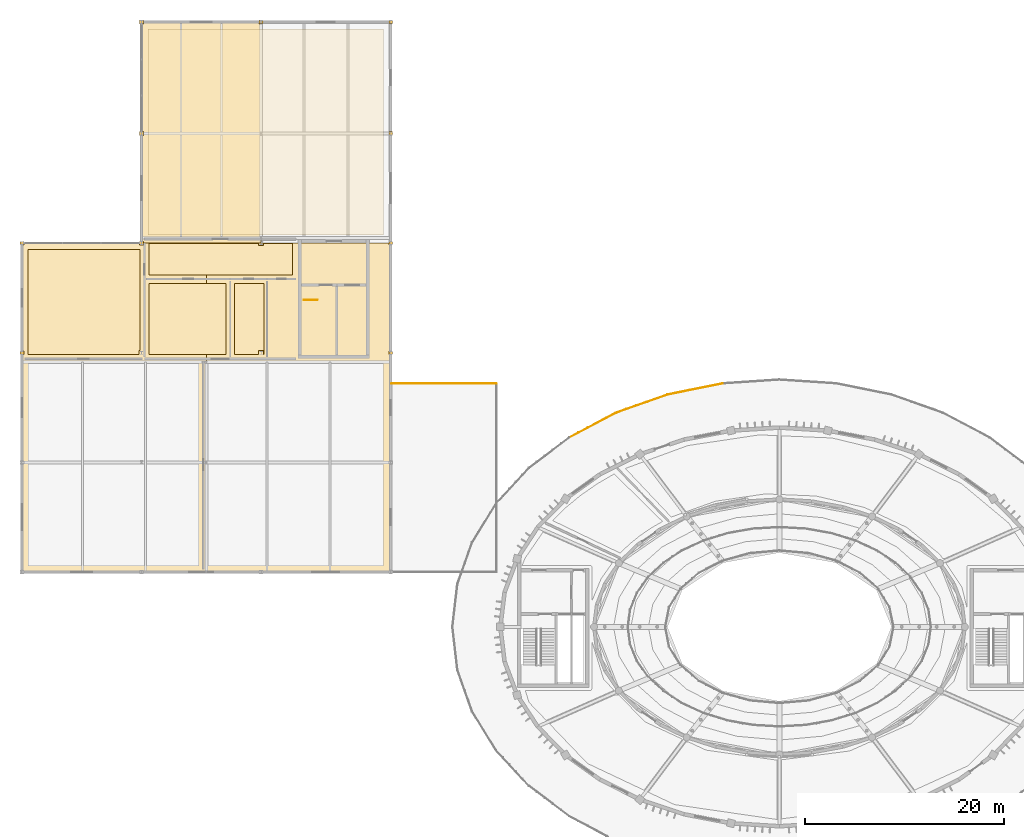
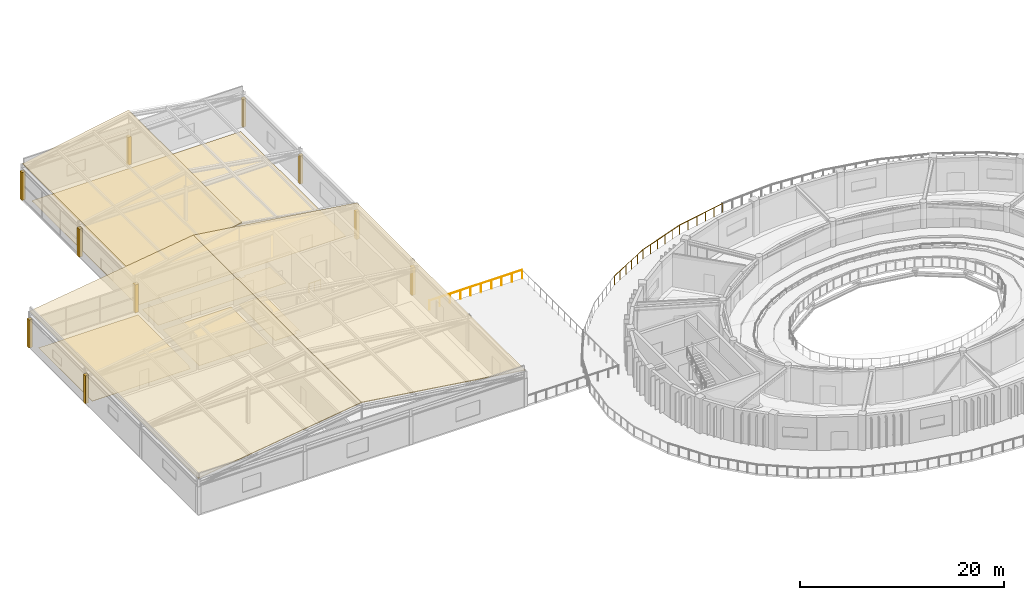
# One storey, part 60 of 63: 18 coverings, 5 railings.
"""IFC4 building model written with IfcOpenShell, lengths in metres."""

from ifc_helpers import new_model, si_unit, direction, frame, origin, origin_2d, place, context, subcontext, project, spatial, polyline, rectangle, circle, outline, extrude, material, layer, layer_set, type_object, element, save


model = new_model("IFC4")

# Units and contexts
model_context = context("Model", 3, precision=1e-05, world=origin(), true_north=direction((0.0, 1.0)))
body_context = subcontext(model_context, "Body", "Model", "MODEL_VIEW")
ifc_project = project(units=[si_unit("LENGTHUNIT", "METRE"), si_unit("AREAUNIT", "SQUARE_METRE"), si_unit("VOLUMEUNIT", "CUBIC_METRE"), si_unit("PLANEANGLEUNIT", "RADIAN"), si_unit("MASSUNIT", "GRAM", prefix="KILO")], contexts=[model_context])

# Site, building, storey
site_placement = place(None, origin())
site = spatial("IfcSite", under=ifc_project, at=site_placement, CompositionType="ELEMENT")
building_placement = place(site_placement, origin())
building = spatial("IfcBuilding", under=site, at=building_placement, Name="Tarnveldt Headland Concert Hall", CompositionType="ELEMENT")
storey_placement = place(building_placement, frame((0.0, 0.0, 14.39990234375)))
storey = spatial("IfcBuildingStorey", under=building, at=storey_placement, Name="L03", CompositionType="ELEMENT", Elevation=14.39990234375)

# Coverings
ifc_material_1 = material(Name="Treated East African mvule hardwood", Category="wood")
ifc_layer_1 = layer(ifc_material_1, 0.028076171875, Name="Treated East African mvule hardwood", Category="wood")
ifc_layer_set_1 = layer_set([ifc_layer_1], Name="Treated East African mvule hardwood")
covering_type_1 = type_object("IfcCoveringType", Name="CV-FLOR28", PredefinedType="FLOORING", material=ifc_layer_set_1)
covering_1_placement = place(storey_placement, origin())
element("IfcCovering", 1, at=covering_1_placement, inside=storey, type_object=covering_type_1, Name="Architectural flooring L03-14-102", PredefinedType="FLOORING", context=body_context, shape_type="SweptSolid", body=[
    extrude(outline(polyline([(19.3701171875, 92.3701171875), (19.3701171875, 82.25), (19.25, 82.25), (19.25, 81.830078125), (8.1298828125, 81.830078125), (8.1298828125, 92.3701171875), (19.3701171875, 92.3701171875)])), origin(), (0.0, 0.0, 1.0), 0.028076171875),
])
ifc_material_2 = material(Name="Polished coral-aggregate cementitious terrazzo flooring", Category="concrete")
ifc_layer_2 = layer(ifc_material_2, 0.034912109375, Name="Polished coral-aggregate cementitious terrazzo flooring", Category="concrete")
ifc_layer_set_2 = layer_set([ifc_layer_2], Name="Polished coral-aggregate cementitious terrazzo flooring")
covering_type_2 = type_object("IfcCoveringType", Name="CV-FLOR35", PredefinedType="FLOORING", material=ifc_layer_set_2)
covering_2_placement = place(storey_placement, origin())
element("IfcCovering", 2, at=covering_2_placement, inside=storey, type_object=covering_type_2, Name="Architectural flooring L03-15-103", PredefinedType="FLOORING", context=body_context, shape_type="SweptSolid", body=[
    extrude(outline(polyline([(20.22998046875, 88.969970703125), (27.969970703125, 88.969970703125), (27.969970703125, 81.830078125), (20.22998046875, 81.830078125), (20.22998046875, 88.969970703125)])), origin(), (0.0, 0.0, 1.0), 0.03515625),
])
covering_3_placement = place(storey_placement, origin())
element("IfcCovering", 3, at=covering_3_placement, inside=storey, type_object=covering_type_2, Name="Architectural flooring L03-16-104", PredefinedType="FLOORING", context=body_context, shape_type="SweptSolid", body=[
    extrude(outline(polyline([(31.77001953125, 88.969970703125), (31.77001953125, 81.830078125), (31.75, 81.830078125), (31.75, 82.25), (31.25, 82.25), (31.25, 81.830078125), (28.830078125, 81.830078125), (28.830078125, 88.969970703125), (31.77001953125, 88.969970703125)])), origin(), (0.0, 0.0, 1.0), 0.03515625),
])
covering_4_placement = place(storey_placement, origin())
element("IfcCovering", 4, at=covering_4_placement, inside=storey, type_object=covering_type_2, Name="Architectural flooring L03-18-105", PredefinedType="FLOORING", context=body_context, shape_type="SweptSolid", body=[
    extrude(outline(polyline([(31.25, 92.969970703125), (31.25, 92.75), (31.75, 92.75), (31.75, 92.969970703125), (34.669921875, 92.969970703125), (34.669921875, 89.830078125), (20.22998046875, 89.830078125), (20.22998046875, 92.969970703125), (31.25, 92.969970703125)])), origin(), (0.0, 0.0, 1.0), 0.03515625),
])
covering_5_placement = place(storey_placement, origin())
element("IfcCovering", 5, at=covering_5_placement, inside=storey, type_object=covering_type_2, Name="Architectural flooring L03-19-106", PredefinedType="FLOORING", context=body_context, shape_type="SweptSolid", body=[
    extrude(outline(polyline([(43.77001953125, 114.469970703125), (43.77001953125, 93.830078125), (20.1298828125, 93.830078125), (20.1298828125, 114.469970703125), (43.77001953125, 114.469970703125)])), origin(), (0.0, 0.0, 1.0), 0.03515625),
])
ifc_material_3 = material(Name="Coral-toned precast concrete C40/50", Category="concrete")
ifc_layer_3 = layer(ifc_material_3, 0.360107421875, Name="Coral-toned precast concrete C40/50", Category="concrete")
ifc_layer_set_3 = layer_set([ifc_layer_3], Name="Coral-toned precast concrete C40/50")
covering_type_3 = type_object("IfcCoveringType", Name="CV-JNT360", PredefinedType="CLADDING", material=ifc_layer_set_3)
for number, where, z_axis, x_axis, name in (
    (6, (7.5, 82.0, 0.0), (0.0, 0.0, 1.0), (0.0, 1.0, 0.0), "Precast facade joint closure pilaster L03-303"),
    (7, (7.5, 93.0, 0.0), (0.0, 0.0, 1.0), (0.0, 1.0, 0.0), "Precast facade joint closure pilaster L03-304"),
    (8, (19.5, 93.0, 0.0), (0.0, 0.0, 1.0), (0.0, 1.0, 0.0), "Precast facade joint closure pilaster L03-306"),
    (9, (19.5, 104.0, 0.0), (0.0, 0.0, 1.0), (0.0, 1.0, 0.0), "Precast facade joint closure pilaster L03-307"),
    (10, (19.5, 115.199951171875, 0.0), (0.0, 0.0, 1.0), (1.0, 0.0, 0.0), "Precast facade joint closure pilaster L03-308"),
    (11, (31.5, 115.199951171875, 0.0), (0.0, 0.0, 1.0), (1.0, 0.0, 0.0), "Precast facade joint closure pilaster L03-310"),
    (12, (44.5, 82.0, 0.0), (0.0, 0.0, 1.0), (0.0, -1.0, 0.0), "Precast facade joint closure pilaster L03-313"),
    (13, (44.5, 93.0, 0.0), (0.0, 0.0, 1.0), (0.0, -1.0, 0.0), "Precast facade joint closure pilaster L03-314"),
    (14, (44.5, 104.0, 0.0), (0.0, 0.0, 1.0), (0.0, -1.0, 0.0), "Precast facade joint closure pilaster L03-315"),
    (15, (44.5, 115.199951171875, 0.0), (0.0, 0.0, 1.0), (0.0, -1.0, 0.0), "Precast facade joint closure pilaster L03-316"),
):
    element("IfcCovering", number, at=place(storey_placement, frame(where, z_axis=z_axis, x_axis=x_axis)), inside=storey, type_object=covering_type_3, Name=name, PredefinedType="CLADDING", context=body_context, shape_type="SweptSolid", body=[
        extrude(rectangle(XDim=0.3798828125, YDim=0.3798828125, at=origin_2d()), origin(), (0.0, 0.0, 1.0), 3.35009765625),
    ])
ifc_material_4 = material(Name="Standing-seam marine aluminium and acoustic roof build-up", Category="aluminium")
ifc_layer_4 = layer(ifc_material_4, 0.080078125, Name="Standing-seam marine aluminium and acoustic roof build-up", Category="aluminium")
ifc_layer_set_4 = layer_set([ifc_layer_4], Name="Standing-seam marine aluminium and acoustic roof build-up")
covering_type_4 = type_object("IfcCoveringType", Name="CV-ROOF80", PredefinedType="ROOFING", material=ifc_layer_set_4)
for number, where, z_axis, x_axis, name in (
    (16, (7.5, 60.0, 4.280029296875), (-0.139177941393, 0.0, 0.990267388451), (0.990267388451, 0.0, 0.139177941393), "Standing-seam marine aluminium roof covering 4"),
    (17, (26.0, 60.0, 6.880126953125), (0.139177941393, 0.0, 0.990267388451), (0.990267388451, 0.0, -0.139177941393), "Standing-seam marine aluminium roof covering 5"),
):
    element("IfcCovering", number, at=place(storey_placement, frame(where, z_axis=z_axis, x_axis=x_axis)), inside=storey, type_object=covering_type_4, Name=name, PredefinedType="ROOFING", context=body_context, shape_type="SweptSolid", body=[
        extrude(outline(polyline([(0.0, 0.0), (18.68182292556154, 0.0), (18.68182292556154, 33.00000000000001), (0.0, 33.00000000000001), (0.0, 0.0)])), origin(), (0.0, 0.0, -1.0), 0.080078125),
    ])
covering_6_placement = place(storey_placement, frame((19.5, 93.0, 4.280029296875), z_axis=(-0.18032399669, 0.0, 0.983607267266), x_axis=(0.983607267266, 0.0, 0.18032399669)))
element("IfcCovering", 18, at=covering_6_placement, inside=storey, type_object=covering_type_4, Name="Standing-seam marine aluminium roof covering 6", PredefinedType="ROOFING", context=body_context, shape_type="SweptSolid", body=[
    extrude(outline(polyline([(0.0, 0.0), (12.199991195022815, 0.0), (12.199991195022815, 22.199951171875), (0.0, 22.199951171875), (0.0, 0.0)])), origin(), (0.0, 0.0, -1.0), 0.080078125),
])

# Railings
ifc_material_5 = material(Name="Marine stainless steel", Category="steel")
ifc_layer_5 = layer(ifc_material_5, 0.074951171875, Name="Marine stainless steel", Category="steel")
ifc_layer_set_5 = layer_set([ifc_layer_5], Name="Marine stainless steel")
railing_type_1 = type_object("IfcRailingType", Name="RL-BAL110", PredefinedType="BALUSTRADE", material=ifc_layer_set_5)
railing_1_placement = place(storey_placement, frame((77.80419921875, 78.923095703125, 0.0)))
element("IfcRailing", 19, at=railing_1_placement, inside=storey, type_object=railing_type_1, Name="GUARD Drum lookout terrace balustrade 11", PredefinedType="BALUSTRADE", context=body_context, shape_type="SweptSolid", body=[
    extrude(circle(Radius=0.02392578125, at=origin_2d()), frame((0.0, 0.0, 1.076171875), z_axis=(-0.980094417088, -0.198531946026, 0.0), x_axis=(0.198531946026, -0.980094417088, 0.0)), (0.0, 0.0, 1.0), 5.634521484375),
    extrude(circle(Radius=0.02099609375, at=origin_2d()), origin(), (0.0, 0.0, 1.0), 1.052001953125),
    extrude(circle(Radius=0.02099609375, at=origin_2d()), frame((-1.1044921875, -0.2236328125, 0.0)), (0.0, 0.0, 1.0), 1.052001953125),
    extrude(circle(Radius=0.02099609375, at=origin_2d()), frame((-2.208984375, -0.447509765625, 0.0)), (0.0, 0.0, 1.0), 1.052001953125),
    extrude(circle(Radius=0.02099609375, at=origin_2d()), frame((-3.3134765625, -0.671142578125, 0.0)), (0.0, 0.0, 1.0), 1.052001953125),
    extrude(circle(Radius=0.02099609375, at=origin_2d()), frame((-4.41796875, -0.89501953125, 0.0)), (0.0, 0.0, 1.0), 1.052001953125),
    extrude(circle(Radius=0.02099609375, at=origin_2d()), frame((-5.5224609375, -1.11865234375, 0.0)), (0.0, 0.0, 1.0), 1.052001953125),
])
railing_2_placement = place(storey_placement, frame((72.28173828125, 77.804443359375, 0.0)))
element("IfcRailing", 20, at=railing_2_placement, inside=storey, type_object=railing_type_1, Name="GUARD Drum lookout terrace balustrade 12", PredefinedType="BALUSTRADE", context=body_context, shape_type="SweptSolid", body=[
    extrude(circle(Radius=0.02392578125, at=origin_2d()), frame((0.0, 0.0, 1.076171875), z_axis=(-0.943085453999, -0.332550487077, 0.0), x_axis=(0.332550487077, -0.943085453999, 0.0)), (0.0, 0.0, 1.0), 5.494384765625),
    extrude(circle(Radius=0.02099609375, at=origin_2d()), origin(), (0.0, 0.0, 1.0), 1.052001953125),
    extrude(circle(Radius=0.02099609375, at=origin_2d()), frame((-1.036376953125, -0.365478515625, 0.0)), (0.0, 0.0, 1.0), 1.052001953125),
    extrude(circle(Radius=0.02099609375, at=origin_2d()), frame((-2.07275390625, -0.73095703125, 0.0)), (0.0, 0.0, 1.0), 1.052001953125),
    extrude(circle(Radius=0.02099609375, at=origin_2d()), frame((-3.10888671875, -1.09619140625, 0.0)), (0.0, 0.0, 1.0), 1.052001953125),
    extrude(circle(Radius=0.02099609375, at=origin_2d()), frame((-4.145263671875, -1.461669921875, 0.0)), (0.0, 0.0, 1.0), 1.052001953125),
    extrude(circle(Radius=0.02099609375, at=origin_2d()), frame((-5.181640625, -1.8271484375, 0.0)), (0.0, 0.0, 1.0), 1.052001953125),
])
railing_3_placement = place(storey_placement, frame((67.10009765625, 75.977294921875, 0.0)))
element("IfcRailing", 21, at=railing_3_placement, inside=storey, type_object=railing_type_1, Name="GUARD Drum lookout terrace balustrade 13", PredefinedType="BALUSTRADE", context=body_context, shape_type="SweptSolid", body=[
    extrude(circle(Radius=0.02392578125, at=origin_2d()), frame((0.0, 0.0, 1.076171875), z_axis=(-0.88379239872, -0.467879253617, 0.0), x_axis=(0.467879253617, -0.88379239872, 0.0)), (0.0, 0.0, 1.0), 5.29931640625),
    extrude(circle(Radius=0.02099609375, at=origin_2d()), origin(), (0.0, 0.0, 1.0), 1.052001953125),
    extrude(circle(Radius=0.02099609375, at=origin_2d()), frame((-0.936767578125, -0.495849609375, 0.0)), (0.0, 0.0, 1.0), 1.052001953125),
    extrude(circle(Radius=0.02099609375, at=origin_2d()), frame((-1.87353515625, -0.99169921875, 0.0)), (0.0, 0.0, 1.0), 1.052001953125),
    extrude(circle(Radius=0.02099609375, at=origin_2d()), frame((-2.81005859375, -1.48779296875, 0.0)), (0.0, 0.0, 1.0), 1.052001953125),
    extrude(circle(Radius=0.02099609375, at=origin_2d()), frame((-3.746826171875, -1.983642578125, 0.0)), (0.0, 0.0, 1.0), 1.052001953125),
    extrude(circle(Radius=0.02099609375, at=origin_2d()), frame((-4.68359375, -2.4794921875, 0.0)), (0.0, 0.0, 1.0), 1.052001953125),
])
railing_4_placement = place(storey_placement, frame((55.10009765625, 78.89990234375, 0.0)))
element("IfcRailing", 22, at=railing_4_placement, inside=storey, type_object=railing_type_1, Name="GUARD Musicians terrace balustrade 3", PredefinedType="BALUSTRADE", context=body_context, shape_type="SweptSolid", body=[
    extrude(circle(Radius=0.02392578125, at=origin_2d()), frame((0.0, 0.0, 1.076171875), z_axis=(-1.0, 0.0, 0.0), x_axis=(0.0, -1.0, 0.0)), (0.0, 0.0, 1.0), 10.5),
    extrude(circle(Radius=0.02099609375, at=origin_2d()), origin(), (0.0, 0.0, 1.0), 1.052001953125),
    extrude(circle(Radius=0.02099609375, at=origin_2d()), frame((-1.166748046875, 0.0, 0.0)), (0.0, 0.0, 1.0), 1.052001953125),
    extrude(circle(Radius=0.02099609375, at=origin_2d()), frame((-2.333251953125, 0.0, 0.0)), (0.0, 0.0, 1.0), 1.052001953125),
    extrude(circle(Radius=0.02099609375, at=origin_2d()), frame((-3.5, 0.0, 0.0)), (0.0, 0.0, 1.0), 1.052001953125),
    extrude(circle(Radius=0.02099609375, at=origin_2d()), frame((-4.666748046875, 0.0, 0.0)), (0.0, 0.0, 1.0), 1.052001953125),
    extrude(circle(Radius=0.02099609375, at=origin_2d()), frame((-5.833251953125, 0.0, 0.0)), (0.0, 0.0, 1.0), 1.052001953125),
    extrude(circle(Radius=0.02099609375, at=origin_2d()), frame((-7.0, 0.0, 0.0)), (0.0, 0.0, 1.0), 1.052001953125),
    extrude(circle(Radius=0.02099609375, at=origin_2d()), frame((-8.166748046875, 0.0, 0.0)), (0.0, 0.0, 1.0), 1.052001953125),
    extrude(circle(Radius=0.02099609375, at=origin_2d()), frame((-9.333251953125, 0.0, 0.0)), (0.0, 0.0, 1.0), 1.052001953125),
    extrude(circle(Radius=0.02099609375, at=origin_2d()), frame((-10.5, 0.0, 0.0)), (0.0, 0.0, 1.0), 1.052001953125),
])
ifc_layer_6 = layer(ifc_material_5, 0.06005859375, Name="Marine stainless steel", Category="steel")
ifc_layer_set_6 = layer_set([ifc_layer_6], Name="Marine stainless steel")
railing_type_2 = type_object("IfcRailingType", Name="RL-GRD110", PredefinedType="GUARDRAIL", material=ifc_layer_set_6)
railing_5_placement = place(storey_placement, frame((35.800048828125, 87.320068359375, 0.0)))
element("IfcRailing", 23, at=railing_5_placement, inside=storey, type_object=railing_type_2, Name="GUARD STR-C6-L02 top well edge", PredefinedType="GUARDRAIL", context=body_context, shape_type="SweptSolid", body=[
    extrude(circle(Radius=0.02392578125, at=origin_2d()), frame((0.0, 0.0, 1.076171875), z_axis=(1.0, 0.0, 0.0), x_axis=(0.0, 1.0, 0.0)), (0.0, 0.0, 1.0), 1.349853515625),
    extrude(circle(Radius=0.02099609375, at=origin_2d()), origin(), (0.0, 0.0, 1.0), 1.052001953125),
    extrude(circle(Radius=0.02099609375, at=origin_2d()), frame((0.6748046875, 0.0, 0.0)), (0.0, 0.0, 1.0), 1.052001953125),
    extrude(circle(Radius=0.02099609375, at=origin_2d()), frame((1.349853515625, 0.0, 0.0)), (0.0, 0.0, 1.0), 1.052001953125),
])

save(model, "model.ifc")
